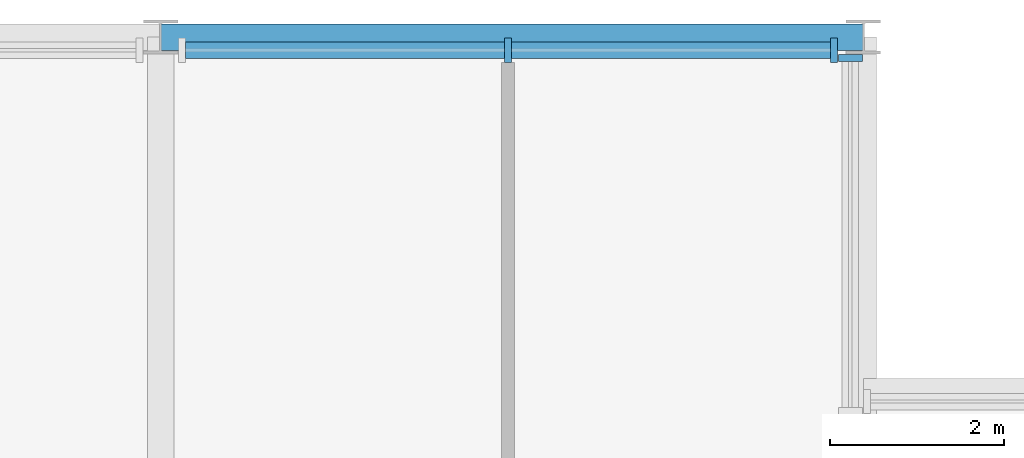
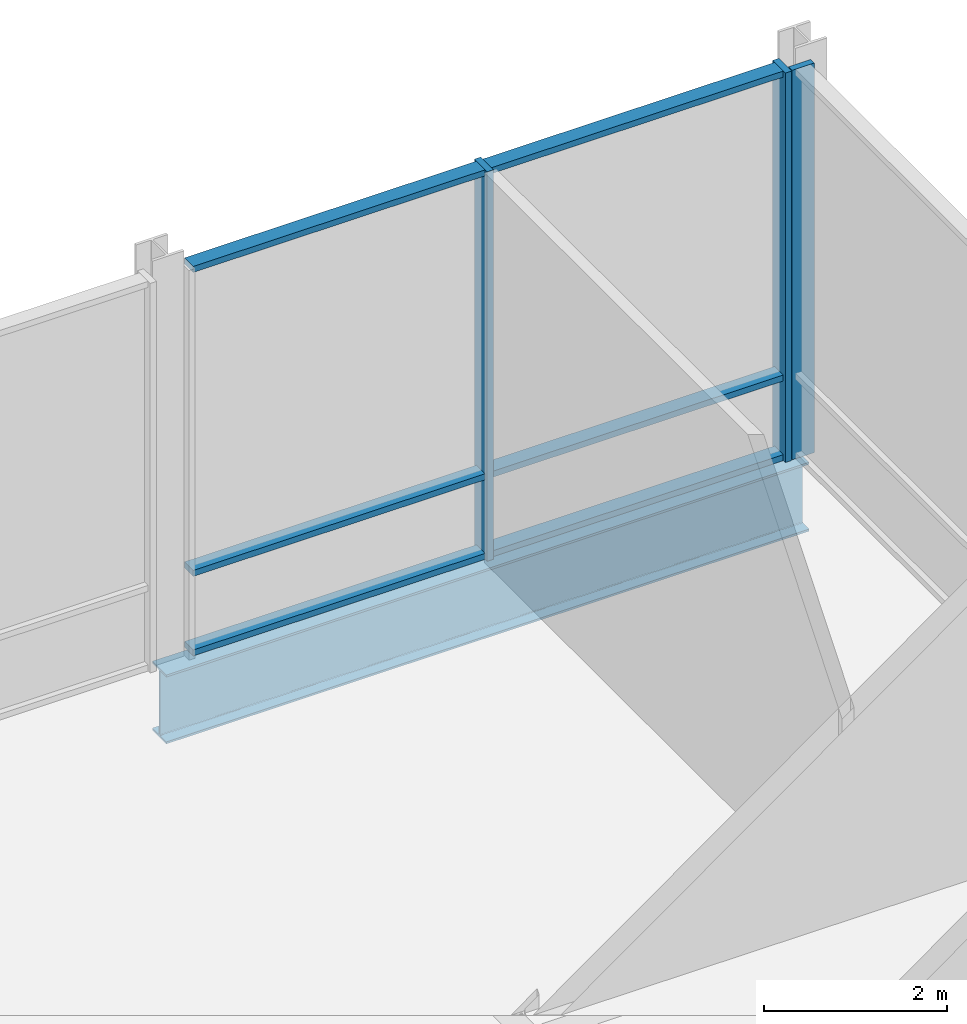
# One storey, part 11 of 21: 9 members, 1 beam, 2 elements without a shape of their own.
"""IFC4 building model written with IfcOpenShell, lengths in metres."""

import ifcopenshell
import ifcopenshell.guid

model = None  # the IFC model being written
_history = None  # IfcOwnerHistory: only IFC2X3 demands one
_inside = {}  # id of a spatial element -> (the spatial element, [elements in it])
_under = {}  # id of a project, library or spatial element -> (it, [spatial elements below it])
_declared = {}  # id of a project -> (the project, [libraries it declares])
_typed = {}  # id of a type object -> (the type object, [elements of that type])
_made_of = {}  # id of a material, layer set ... -> (it, [elements and type objects made of it])


def new_model(schema):
    """Start an empty IFC model of exactly this schema.

    Asked for "IFC4X3", IfcOpenShell would pick the latest addendum, in which some entities
    have other attributes; the version numbers below select the first issue.
    IFC2X3 requires an IfcOwnerHistory on every rooted entity: one is made here for all.
    """
    global model, _history
    if schema == "IFC4X3":
        model = ifcopenshell.file(schema_version=(4, 3, 0, 0))
    else:
        model = ifcopenshell.file(schema=schema)
    _inside.clear()
    _under.clear()
    _declared.clear()
    _typed.clear()
    _made_of.clear()
    _history = None
    if model.schema == "IFC2X3":
        org = make("IfcOrganization", Name="unknown")
        user = make(
            "IfcPersonAndOrganization",
            ThePerson=make("IfcPerson", FamilyName="unknown"),
            TheOrganization=org,
        )
        app = make(
            "IfcApplication",
            ApplicationDeveloper=org,
            Version="unknown",
            ApplicationFullName="unknown",
            ApplicationIdentifier="unknown",
        )
        _history = make(
            "IfcOwnerHistory",
            OwningUser=user,
            OwningApplication=app,
            ChangeAction="ADDED",
            CreationDate=0,
        )
    return model


def make(cls, **values):
    """One entity of the class cls with the attributes given. An attribute that is None is left unset."""
    return model.create_entity(
        cls, **{name: value for name, value in values.items() if value is not None}
    )


def rooted(cls, **values):
    """An entity with a GlobalId (a new one), such as an element, a storey or a relation."""
    return make(cls, GlobalId=ifcopenshell.guid.new(), OwnerHistory=_history, **values)


def si_unit(unit_type, name, prefix=None):
    """IfcSIUnit, for example si_unit("LENGTHUNIT", "METRE", prefix="MILLI")."""
    return make("IfcSIUnit", UnitType=unit_type, Prefix=prefix, Name=name)


def assignment(units):
    """IfcUnitAssignment: the units of a project."""
    return None if units is None else make("IfcUnitAssignment", Units=units)


def point(xyz):
    """IfcCartesianPoint."""
    return None if xyz is None else make("IfcCartesianPoint", Coordinates=xyz)


def direction(xyz):
    """IfcDirection."""
    return None if xyz is None else make("IfcDirection", DirectionRatios=xyz)


def frame(location, z_axis=None, x_axis=None):
    """IfcAxis2Placement3D, a coordinate frame: its origin and axes. An axis left out is left unset."""
    return make(
        "IfcAxis2Placement3D",
        Location=point(location),
        Axis=direction(z_axis),
        RefDirection=direction(x_axis),
    )


def frame_2d(location, x_axis=None):
    """IfcAxis2Placement2D, a coordinate frame in the plane: its origin and x axis."""
    return make(
        "IfcAxis2Placement2D", Location=point(location), RefDirection=direction(x_axis)
    )


def origin():
    """The frame at (0, 0, 0) with its axes left unset."""
    return frame((0.0, 0.0, 0.0))


def origin_2d():
    """The frame at (0, 0) in the plane with its x axis left unset."""
    return frame_2d((0.0, 0.0))


def place(relative_to, where):
    """IfcLocalPlacement: puts the frame where relative to a parent placement (None: the world)."""
    return make(
        "IfcLocalPlacement", PlacementRelTo=relative_to, RelativePlacement=where
    )


def context(
    kind, dimensions, precision=None, world=None, true_north=None, identifier=None
):
    """IfcGeometricRepresentationContext, for example the 3D "Model" context."""
    return make(
        "IfcGeometricRepresentationContext",
        ContextIdentifier=identifier,
        ContextType=kind,
        CoordinateSpaceDimension=dimensions,
        Precision=precision,
        WorldCoordinateSystem=world,
        TrueNorth=true_north,
    )


def subcontext(parent, identifier, kind, view, scale=None):
    """IfcGeometricRepresentationSubContext, for example "Body" below "Model"."""
    return make(
        "IfcGeometricRepresentationSubContext",
        ContextIdentifier=identifier,
        ContextType=kind,
        ParentContext=parent,
        TargetScale=scale,
        TargetView=view,
    )


def project(units=None, contexts=None):
    """IfcProject with its units and contexts."""
    return rooted(
        "IfcProject",
        Name="project",
        RepresentationContexts=contexts,
        UnitsInContext=assignment(units),
    )


def spatial(cls, under=None, at=None, **own):
    """A site, building, storey or space (cls), placed at a placement, below another one or the project."""
    s = rooted(cls, ObjectPlacement=at, **own)
    if under is not None:
        _under.setdefault(under.id(), (under, []))[1].append(s)
    return s


def profile(cls, at=None, kind="AREA", **sizes):
    """A parametric profile (cls). Its sizes go by their IFC names, for example OverallWidth=200.0."""
    return make(cls, ProfileType=kind, Position=at, **sizes)


def rectangle(**sizes):
    """IfcRectangleProfileDef."""
    return profile("IfcRectangleProfileDef", **sizes)


def i_section(**sizes):
    """IfcIShapeProfileDef."""
    return profile("IfcIShapeProfileDef", **sizes)


def extrude(swept, where, along, depth):
    """IfcExtrudedAreaSolid: the profile swept, set in the frame where, extruded along a direction by depth."""
    return make(
        "IfcExtrudedAreaSolid",
        SweptArea=swept,
        Position=where,
        ExtrudedDirection=direction(along),
        Depth=depth,
    )


def shape(context_of_items, identifier, shape_type, items):
    """IfcShapeRepresentation: the items that make up one representation, for example the "Body"."""
    return make(
        "IfcShapeRepresentation",
        ContextOfItems=context_of_items,
        RepresentationIdentifier=identifier,
        RepresentationType=shape_type,
        Items=items,
    )


def material(Name=None, Category=None):
    """IfcMaterial."""
    return make("IfcMaterial", Name=Name, Category=Category)


def material_profile(
    of_material, cross_section, Name=None, Category=None, Priority=None
):
    """IfcMaterialProfile: a cross section and its material."""
    return make(
        "IfcMaterialProfile",
        Name=Name,
        Material=of_material,
        Profile=cross_section,
        Priority=Priority,
        Category=Category,
    )


def profile_set(profiles, Name=None, composite=None):
    """IfcMaterialProfileSet."""
    return make(
        "IfcMaterialProfileSet",
        Name=Name,
        MaterialProfiles=profiles,
        CompositeProfile=composite,
    )


def made_of(thing, what):
    """Note that an element or type object is made of a material, layer set ...; save() writes the relation."""
    if what is not None:
        _made_of.setdefault(what.id(), (what, []))[1].append(thing)
    return thing


def type_object(cls, material=None, **own):
    """A type object (cls), such as IfcWallType, which elements share."""
    return made_of(rooted(cls, **own), material)


def element(
    cls,
    number,
    at=None,
    inside=None,
    cuts=None,
    type_object=None,
    material=None,
    context=None,
    identifier="Body",
    shape_type=None,
    held_by="IfcProductDefinitionShape",
    body=None,
    shapes=None,
    **own,
):
    """One element of the class cls, such as IfcWall. Its Tag is "e" and its number.

    at: its placement. inside: the storey or other place that contains it. cuts: it is an
    opening in that element (IfcRelVoidsElement). A single representation is given by context,
    identifier, shape_type and body (its items); several are given by shapes. held_by: the class
    of the entity that holds the representations. save() writes the other relations.
    """
    e = rooted(cls, Tag="e%d" % number, ObjectPlacement=at, **own)
    if body is not None:
        shapes = [shape(context, identifier, shape_type, body)]
    if shapes is not None:
        e.Representation = make(held_by, Representations=shapes)
    if inside is not None:
        _inside.setdefault(inside.id(), (inside, []))[1].append(e)
    if cuts is not None:
        rooted(
            "IfcRelVoidsElement", RelatingBuildingElement=cuts, RelatedOpeningElement=e
        )
    if type_object is not None:
        _typed.setdefault(type_object.id(), (type_object, []))[1].append(e)
    return made_of(e, material)


def aggregate(whole, parts):
    """IfcRelAggregates: a whole, such as a stair, and the parts it consists of."""
    return rooted("IfcRelAggregates", RelatingObject=whole, RelatedObjects=parts)


def save(model, path):
    """Write the relations noted so far, then the file.

    IfcRelAggregates (storeys below a building ...), IfcRelContainedInSpatialStructure (elements
    in a storey), IfcRelDefinesByType, IfcRelAssociatesMaterial and IfcRelDeclares: one each for
    every whole, place, type object, material and project.
    """
    for whole, parts in _under.values():
        aggregate(whole, parts)
    for where, things in _inside.values():
        rooted(
            "IfcRelContainedInSpatialStructure",
            RelatedElements=things,
            RelatingStructure=where,
        )
    for kind, things in _typed.values():
        rooted("IfcRelDefinesByType", RelatedObjects=things, RelatingType=kind)
    for what, things in _made_of.values():
        rooted("IfcRelAssociatesMaterial", RelatedObjects=things, RelatingMaterial=what)
    for by, libraries in _declared.values():
        rooted("IfcRelDeclares", RelatingContext=by, RelatedDefinitions=libraries)
    model.write(path)


model = new_model("IFC4")

# Units and contexts
model_context = context("Model", 3, precision=1e-05, world=origin(), true_north=direction((0.0, 1.0)))
body_context = subcontext(model_context, "Body", "Model", "MODEL_VIEW")
ifc_project = project(units=[si_unit("LENGTHUNIT", "METRE"), si_unit("AREAUNIT", "SQUARE_METRE"), si_unit("VOLUMEUNIT", "CUBIC_METRE"), si_unit("PLANEANGLEUNIT", "RADIAN"), si_unit("MASSUNIT", "GRAM", prefix="KILO")], contexts=[model_context])

# Site, building, storey
site_placement = place(None, origin())
site = spatial("IfcSite", under=ifc_project, at=site_placement, CompositionType="ELEMENT")
building_placement = place(site_placement, origin())
building = spatial("IfcBuilding", under=site, at=building_placement, Name="Kopane Lantern Tower", CompositionType="ELEMENT")
storey_placement = place(building_placement, frame((0.0, 0.0, 298.5)))
storey = spatial("IfcBuildingStorey", under=building, at=storey_placement, Name="L76", CompositionType="ELEMENT", Elevation=298.5)

# Beam
ifc_material_1 = material(Name="Steel S355JR", Category="steel")
ifc_material_profile_1 = material_profile(ifc_material_1, i_section(OverallWidth=0.305419921875, OverallDepth=0.91845703125, WebThickness=0.017333984375, FlangeThickness=0.02783203125, FilletRadius=0.01904296875, at=origin_2d()), Name="UB 914x305x253")
ifc_profile_set_1 = profile_set([ifc_material_profile_1], Name="Steel S355JR")
beam_type = type_object("IfcBeamType", Name="GIRDER UB 914x305x253", PredefinedType="BEAM", material=ifc_profile_set_1)
beam_placement = place(storey_placement, frame((40.5, 64.800048828125, -0.669189453125), z_axis=(1.0, 0.0, 0.0), x_axis=(0.0, 1.0, 0.0)))
element("IfcBeam", 1, at=beam_placement, inside=storey, type_object=beam_type, Name="Girder L76", PredefinedType="BEAM", context=body_context, shape_type="SweptSolid", body=[
    extrude(i_section(OverallWidth=0.305419921875, OverallDepth=0.91845703125, WebThickness=0.017333984375, FlangeThickness=0.02783203125, FilletRadius=0.01904296875, at=origin_2d()), origin(), (0.0, 0.0, 1.0), 8.10009765625),
])

# Curtain wall, member
ifc_material_2 = material(Name="Aluminium and clear glass", Category="aluminium")
curtain_wall_type = type_object("IfcCurtainWallType", Name="CURTAIN WALL CW6 LANTERN CROWN", PredefinedType="USERDEFINED", material=ifc_material_2)
curtain_wall_1_placement = place(storey_placement, origin())
curtain_wall_1 = element("IfcCurtainWall", 2, at=curtain_wall_1_placement, inside=storey, type_object=curtain_wall_type, Name="Curtain wall CW6 E L76", ObjectType="CURTAIN WALL", PredefinedType="USERDEFINED")
ifc_material_3 = material(Name="Aluminium", Category="aluminium")
ifc_material_profile_2 = material_profile(ifc_material_3, rectangle(XDim=0.080078125, YDim=0.280029296875, at=origin_2d()), Name="AL 80x280")
ifc_profile_set_2 = profile_set([ifc_material_profile_2], Name="Aluminium")
member_type_1 = type_object("IfcMemberType", Name="MULLION CW6-M 80x280", PredefinedType="MULLION", material=ifc_profile_set_2)
member_1_placement = place(storey_placement, frame((48.449951171875, 64.55810546875, 0.0), z_axis=(0.0, 0.0, 1.0), x_axis=(0.0, 1.0, 0.0)))
member_1 = element("IfcMember", 3, at=member_1_placement, type_object=member_type_1, Name="CW6 mullion 2", PredefinedType="MULLION", context=body_context, shape_type="SweptSolid", body=[
    extrude(rectangle(XDim=0.080078125, YDim=0.280029296875, at=origin_2d()), origin(), (0.0, 0.0, 1.0), 5.18994140625),
])
aggregate(curtain_wall_1, [member_1])

# Curtain wall, members
curtain_wall_2_placement = place(storey_placement, origin())
curtain_wall_2 = element("IfcCurtainWall", 4, at=curtain_wall_2_placement, inside=storey, type_object=curtain_wall_type, Name="Curtain wall CW6 N L76", ObjectType="CURTAIN WALL", PredefinedType="USERDEFINED")
member_2_placement = place(storey_placement, frame((48.260009765625, 64.64990234375, 0.0), z_axis=(0.0, 0.0, 1.0), x_axis=(-1.0, 0.0, 0.0)))
member_2 = element("IfcMember", 5, at=member_2_placement, type_object=member_type_1, Name="CW6 mullion 1", PredefinedType="MULLION", context=body_context, shape_type="SweptSolid", body=[
    extrude(rectangle(XDim=0.080078125, YDim=0.280029296875, at=origin_2d()), origin(), (0.0, 0.0, 1.0), 5.18994140625),
])
member_3_placement = place(storey_placement, frame((44.502197265625, 64.64990234375, 0.0), z_axis=(0.0, 0.0, 1.0), x_axis=(-1.0, 0.0, 0.0)))
member_3 = element("IfcMember", 6, at=member_3_placement, type_object=member_type_1, Name="CW6 mullion 2", PredefinedType="MULLION", context=body_context, shape_type="SweptSolid", body=[
    extrude(rectangle(XDim=0.080078125, YDim=0.280029296875, at=origin_2d()), origin(), (0.0, 0.0, 1.0), 5.18994140625),
])
ifc_material_4 = material(Name="Aluminium", Category="aluminium")
ifc_material_profile_3 = material_profile(ifc_material_4, rectangle(XDim=0.18994140625, YDim=0.080078125, at=origin_2d()), Name="AL 190x80")
ifc_profile_set_3 = profile_set([ifc_material_profile_3], Name="Aluminium")
member_type_2 = type_object("IfcMemberType", Name="TRANSOM CW6-T 80x190", PredefinedType="USERDEFINED", material=ifc_profile_set_3)
member_4_placement = place(storey_placement, frame((48.219970703125, 64.64990234375, 0.0400390625), z_axis=(-1.0, 0.0, 0.0), x_axis=(0.0, -1.0, 0.0)))
member_4 = element("IfcMember", 7, at=member_4_placement, type_object=member_type_2, Name="CW6 transom 1.1", ObjectType="TRANSOM", PredefinedType="USERDEFINED", context=body_context, shape_type="SweptSolid", body=[
    extrude(rectangle(XDim=0.18994140625, YDim=0.080078125, at=origin_2d()), origin(), (0.0, 0.0, 1.0), 3.677734375),
])
member_5_placement = place(storey_placement, frame((48.219970703125, 64.64990234375, 1.10009765625), z_axis=(-1.0, 0.0, 0.0), x_axis=(0.0, -1.0, 0.0)))
member_5 = element("IfcMember", 8, at=member_5_placement, type_object=member_type_2, Name="CW6 transom 1.2", ObjectType="TRANSOM", PredefinedType="USERDEFINED", context=body_context, shape_type="SweptSolid", body=[
    extrude(rectangle(XDim=0.18994140625, YDim=0.080078125, at=origin_2d()), origin(), (0.0, 0.0, 1.0), 3.677734375),
])
member_6_placement = place(storey_placement, frame((48.219970703125, 64.64990234375, 5.14990234375), z_axis=(-1.0, 0.0, 0.0), x_axis=(0.0, -1.0, 0.0)))
member_6 = element("IfcMember", 9, at=member_6_placement, type_object=member_type_2, Name="CW6 transom 1.3", ObjectType="TRANSOM", PredefinedType="USERDEFINED", context=body_context, shape_type="SweptSolid", body=[
    extrude(rectangle(XDim=0.18994140625, YDim=0.080078125, at=origin_2d()), origin(), (0.0, 0.0, 1.0), 3.677734375),
])
member_7_placement = place(storey_placement, frame((44.462158203125, 64.64990234375, 0.0400390625), z_axis=(-1.0, 0.0, 0.0), x_axis=(0.0, -1.0, 0.0)))
member_7 = element("IfcMember", 10, at=member_7_placement, type_object=member_type_2, Name="CW6 transom 2.1", ObjectType="TRANSOM", PredefinedType="USERDEFINED", context=body_context, shape_type="SweptSolid", body=[
    extrude(rectangle(XDim=0.18994140625, YDim=0.080078125, at=origin_2d()), origin(), (0.0, 0.0, 1.0), 3.677734375),
])
member_8_placement = place(storey_placement, frame((44.462158203125, 64.64990234375, 1.10009765625), z_axis=(-1.0, 0.0, 0.0), x_axis=(0.0, -1.0, 0.0)))
member_8 = element("IfcMember", 11, at=member_8_placement, type_object=member_type_2, Name="CW6 transom 2.2", ObjectType="TRANSOM", PredefinedType="USERDEFINED", context=body_context, shape_type="SweptSolid", body=[
    extrude(rectangle(XDim=0.18994140625, YDim=0.080078125, at=origin_2d()), origin(), (0.0, 0.0, 1.0), 3.677734375),
])
member_9_placement = place(storey_placement, frame((44.462158203125, 64.64990234375, 5.14990234375), z_axis=(-1.0, 0.0, 0.0), x_axis=(0.0, -1.0, 0.0)))
member_9 = element("IfcMember", 12, at=member_9_placement, type_object=member_type_2, Name="CW6 transom 2.3", ObjectType="TRANSOM", PredefinedType="USERDEFINED", context=body_context, shape_type="SweptSolid", body=[
    extrude(rectangle(XDim=0.18994140625, YDim=0.080078125, at=origin_2d()), origin(), (0.0, 0.0, 1.0), 3.677734375),
])
aggregate(curtain_wall_2, [member_2, member_3, member_4, member_5, member_6, member_7, member_8, member_9])

save(model, "model.ifc")
